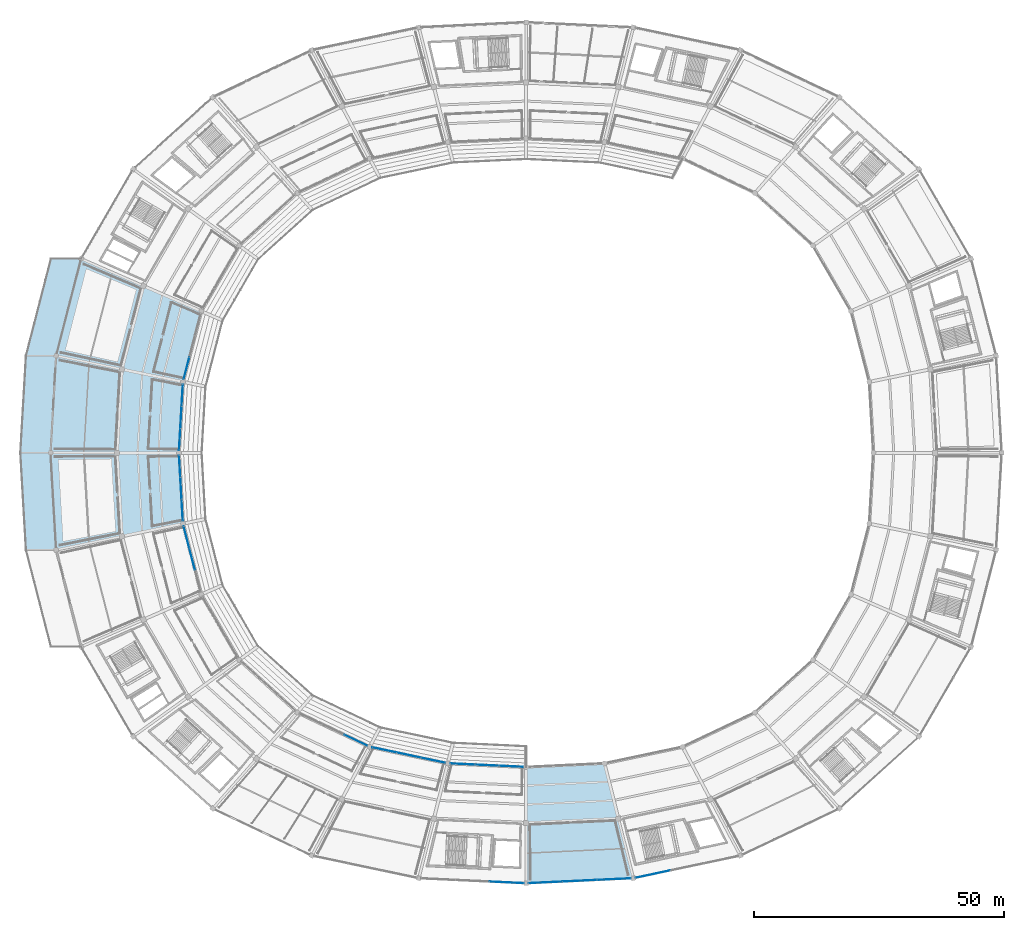
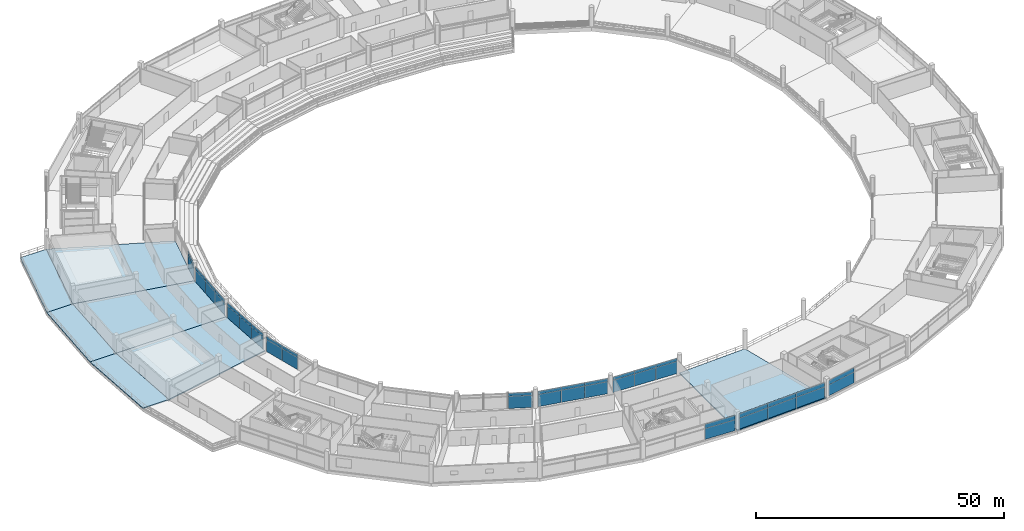
# One storey, part 123 of 171: 42 plates, 7 slabs, 10 elements without a shape of their own.
"""IFC4 building model written with IfcOpenShell, lengths in metres."""

from ifc_helpers import new_model, si_unit, direction, frame, origin, origin_2d, place, context, subcontext, project, spatial, polyline, rectangle, outline, extrude, material, layer, layer_set, type_object, element, aggregate, save


model = new_model("IFC4")

# Units and contexts
model_context = context("Model", 3, precision=1e-05, world=origin(), true_north=direction((0.0, 1.0)))
body_context = subcontext(model_context, "Body", "Model", "MODEL_VIEW")
ifc_project = project(units=[si_unit("LENGTHUNIT", "METRE"), si_unit("AREAUNIT", "SQUARE_METRE"), si_unit("VOLUMEUNIT", "CUBIC_METRE"), si_unit("PLANEANGLEUNIT", "RADIAN"), si_unit("MASSUNIT", "GRAM", prefix="KILO")], contexts=[model_context])

# Site, building, storey
site_placement = place(None, origin())
site = spatial("IfcSite", under=ifc_project, at=site_placement, CompositionType="ELEMENT")
building_placement = place(site_placement, origin())
building = spatial("IfcBuilding", under=site, at=building_placement, Name="Kazemori Nagisa Stadium", CompositionType="ELEMENT")
storey_placement = place(building_placement, frame((0.0, 0.0, 15.639892578125)))
storey = spatial("IfcBuildingStorey", under=building, at=storey_placement, Name="L03", CompositionType="ELEMENT", Elevation=15.639892578125)

# Curtain wall, plates
ifc_material_1 = material(Name="Anodised aluminium 6063-T5", Category="aluminium")
ifc_layer_1 = layer(ifc_material_1, 0.2099609375, Name="Anodised aluminium 6063-T5", Category="aluminium")
ifc_layer_set_1 = layer_set([ifc_layer_1], Name="Anodised aluminium 6063-T5")
curtain_wall_type_1 = type_object("IfcCurtainWallType", Name="CW_L03B_66", PredefinedType="USERDEFINED", material=ifc_layer_set_1)
curtain_wall_1_placement = place(storey_placement, origin())
curtain_wall_1 = element("IfcCurtainWall", 1, at=curtain_wall_1_placement, inside=storey, type_object=curtain_wall_type_1, Name="Unitised curtain wall CW-L03B-66 L03", ObjectType="UNITISED CURTAIN WALL", PredefinedType="USERDEFINED")
ifc_material_2 = material(Name="Anodised aluminium spandrel sheet", Category="aluminium")
ifc_layer_2 = layer(ifc_material_2, 0.047119140625, Name="Anodised aluminium spandrel sheet", Category="aluminium")
ifc_layer_set_2 = layer_set([ifc_layer_2], Name="Anodised aluminium spandrel sheet")
plate_type_1 = type_object("IfcPlateType", Name="CWPanel_SPN_L03B_66", PredefinedType="CURTAIN_PANEL", material=ifc_layer_set_2)
plate_1_placement = place(storey_placement, frame((54.310302734375, 113.444091796875, 3.01025390625), z_axis=(0.0, 0.0, 1.0), x_axis=(-0.057601670941, -0.998339645364, 0.0)))
plate_1 = element("IfcPlate", 2, at=plate_1_placement, type_object=plate_type_1, Name="Curtain wall spandrel panel CW-L03B-66-S1", PredefinedType="CURTAIN_PANEL", context=body_context, shape_type="SweptSolid", body=[
    extrude(rectangle(XDim=4.347412109375, YDim=0.047119140625, at=origin_2d()), origin(), (0.0, 0.0, 1.0), 0.800048828125),
])
plate_2_placement = place(storey_placement, frame((54.05859375, 109.080078125, 3.01025390625), z_axis=(0.0, 0.0, 1.0), x_axis=(-0.057601670941, -0.998339645364, 0.0)))
plate_2 = element("IfcPlate", 3, at=plate_2_placement, type_object=plate_type_1, Name="Curtain wall spandrel panel CW-L03B-66-S2", PredefinedType="CURTAIN_PANEL", context=body_context, shape_type="SweptSolid", body=[
    extrude(rectangle(XDim=4.347412109375, YDim=0.047119140625, at=origin_2d()), origin(), (0.0, 0.0, 1.0), 0.800048828125),
])
plate_3_placement = place(storey_placement, frame((53.806640625, 104.716064453125, 3.01025390625), z_axis=(0.0, 0.0, 1.0), x_axis=(-0.057601670941, -0.998339645364, 0.0)))
plate_3 = element("IfcPlate", 4, at=plate_3_placement, type_object=plate_type_1, Name="Curtain wall spandrel panel CW-L03B-66-S3", PredefinedType="CURTAIN_PANEL", context=body_context, shape_type="SweptSolid", body=[
    extrude(rectangle(XDim=4.347412109375, YDim=0.047119140625, at=origin_2d()), origin(), (0.0, 0.0, 1.0), 0.800048828125),
])

curtain_wall_2_placement = place(storey_placement, origin())
curtain_wall_2 = element("IfcCurtainWall", 5, at=curtain_wall_2_placement, inside=storey, type_object=curtain_wall_type_1, Name="Unitised curtain wall CW-L03B-66 L03", ObjectType="UNITISED CURTAIN WALL", PredefinedType="USERDEFINED")
plate_4_placement = place(storey_placement, frame((53.806640625, 99.283935546875, 3.01025390625), z_axis=(0.0, 0.0, 1.0), x_axis=(0.057601670941, -0.998339645364, 0.0)))
plate_4 = element("IfcPlate", 6, at=plate_4_placement, type_object=plate_type_1, Name="Curtain wall spandrel panel CW-L03B-66-S1", PredefinedType="CURTAIN_PANEL", context=body_context, shape_type="SweptSolid", body=[
    extrude(rectangle(XDim=4.347412109375, YDim=0.047119140625, at=origin_2d()), origin(), (0.0, 0.0, 1.0), 0.800048828125),
])
plate_5_placement = place(storey_placement, frame((54.05859375, 94.919921875, 3.01025390625), z_axis=(0.0, 0.0, 1.0), x_axis=(0.057601670941, -0.998339645364, 0.0)))
plate_5 = element("IfcPlate", 7, at=plate_5_placement, type_object=plate_type_1, Name="Curtain wall spandrel panel CW-L03B-66-S2", PredefinedType="CURTAIN_PANEL", context=body_context, shape_type="SweptSolid", body=[
    extrude(rectangle(XDim=4.347412109375, YDim=0.047119140625, at=origin_2d()), origin(), (0.0, 0.0, 1.0), 0.800048828125),
])
plate_6_placement = place(storey_placement, frame((54.310302734375, 90.555908203125, 3.01025390625), z_axis=(0.0, 0.0, 1.0), x_axis=(0.057601670941, -0.998339645364, 0.0)))
plate_6 = element("IfcPlate", 8, at=plate_6_placement, type_object=plate_type_1, Name="Curtain wall spandrel panel CW-L03B-66-S3", PredefinedType="CURTAIN_PANEL", context=body_context, shape_type="SweptSolid", body=[
    extrude(rectangle(XDim=4.347412109375, YDim=0.047119140625, at=origin_2d()), origin(), (0.0, 0.0, 1.0), 0.800048828125),
])

# Curtain wall, plate
ifc_layer_3 = layer(ifc_material_1, 0.2099609375, Name="Anodised aluminium 6063-T5", Category="aluminium")
ifc_layer_set_3 = layer_set([ifc_layer_3], Name="Anodised aluminium 6063-T5")
curtain_wall_type_2 = type_object("IfcCurtainWallType", Name="CW_L03B_68", PredefinedType="USERDEFINED", material=ifc_layer_set_3)
curtain_wall_3_placement = place(storey_placement, origin())
curtain_wall_3 = element("IfcCurtainWall", 9, at=curtain_wall_3_placement, inside=storey, type_object=curtain_wall_type_2, Name="Unitised curtain wall CW-L03B-68 L03", ObjectType="UNITISED CURTAIN WALL", PredefinedType="USERDEFINED")
ifc_layer_4 = layer(ifc_material_2, 0.047119140625, Name="Anodised aluminium spandrel sheet", Category="aluminium")
ifc_layer_set_4 = layer_set([ifc_layer_4], Name="Anodised aluminium spandrel sheet")
plate_type_2 = type_object("IfcPlateType", Name="CWPanel_SPN_L03B_68", PredefinedType="CURTAIN_PANEL", material=ifc_layer_set_4)
plate_7_placement = place(storey_placement, frame((55.1640625, 118.860107421875, 3.01025390625), z_axis=(0.0, 0.0, 1.0), x_axis=(-0.249964642418, -0.968254965152, 0.0)))
plate_7 = element("IfcPlate", 10, at=plate_7_placement, type_object=plate_type_2, Name="Curtain wall spandrel panel CW-L03B-68-S3", PredefinedType="CURTAIN_PANEL", context=body_context, shape_type="SweptSolid", body=[
    extrude(rectangle(XDim=4.482666015625, YDim=0.047119140625, at=origin_2d()), origin(), (0.0, 0.0, 1.0), 0.800048828125),
])

# Curtain wall, plates
curtain_wall_4_placement = place(storey_placement, origin())
curtain_wall_4 = element("IfcCurtainWall", 11, at=curtain_wall_4_placement, inside=storey, type_object=curtain_wall_type_2, Name="Unitised curtain wall CW-L03B-68 L03", ObjectType="UNITISED CURTAIN WALL", PredefinedType="USERDEFINED")
plate_8_placement = place(storey_placement, frame((55.1640625, 85.139892578125, 3.01025390625), z_axis=(0.0, 0.0, 1.0), x_axis=(0.249964642418, -0.968254965152, 0.0)))
plate_8 = element("IfcPlate", 12, at=plate_8_placement, type_object=plate_type_2, Name="Curtain wall spandrel panel CW-L03B-68-S1", PredefinedType="CURTAIN_PANEL", context=body_context, shape_type="SweptSolid", body=[
    extrude(rectangle(XDim=4.482666015625, YDim=0.047119140625, at=origin_2d()), origin(), (0.0, 0.0, 1.0), 0.800048828125),
])
plate_9_placement = place(storey_placement, frame((56.29052734375, 80.7763671875, 3.01025390625), z_axis=(0.0, 0.0, 1.0), x_axis=(0.249964642418, -0.968254965152, 0.0)))
plate_9 = element("IfcPlate", 13, at=plate_9_placement, type_object=plate_type_2, Name="Curtain wall spandrel panel CW-L03B-68-S2", PredefinedType="CURTAIN_PANEL", context=body_context, shape_type="SweptSolid", body=[
    extrude(rectangle(XDim=4.482666015625, YDim=0.047119140625, at=origin_2d()), origin(), (0.0, 0.0, 1.0), 0.800048828125),
])

ifc_layer_5 = layer(ifc_material_1, 0.2099609375, Name="Anodised aluminium 6063-T5", Category="aluminium")
ifc_layer_set_5 = layer_set([ifc_layer_5], Name="Anodised aluminium 6063-T5")
curtain_wall_type_3 = type_object("IfcCurtainWallType", Name="CW_L03B_73", PredefinedType="USERDEFINED", material=ifc_layer_set_5)
curtain_wall_5_placement = place(storey_placement, origin())
curtain_wall_5 = element("IfcCurtainWall", 14, at=curtain_wall_5_placement, inside=storey, type_object=curtain_wall_type_3, Name="Unitised curtain wall CW-L03B-73 L03", ObjectType="UNITISED CURTAIN WALL", PredefinedType="USERDEFINED")
ifc_layer_6 = layer(ifc_material_2, 0.047119140625, Name="Anodised aluminium spandrel sheet", Category="aluminium")
ifc_layer_set_6 = layer_set([ifc_layer_6], Name="Anodised aluminium spandrel sheet")
plate_type_3 = type_object("IfcPlateType", Name="CWPanel_SPN_L03B_73", PredefinedType="CURTAIN_PANEL", material=ifc_layer_set_6)
plate_10_placement = place(storey_placement, frame((110.321044921875, 39.819580078125, 3.01025390625), z_axis=(0.0, 0.0, 1.0), x_axis=(0.998884022476, -0.047230388971, 0.0)))
plate_10 = element("IfcPlate", 15, at=plate_10_placement, type_object=plate_type_3, Name="Curtain wall spandrel panel CW-L03B-73-S1", PredefinedType="CURTAIN_PANEL", context=body_context, shape_type="SweptSolid", body=[
    extrude(rectangle(XDim=4.83935546875, YDim=0.047119140625, at=origin_2d()), origin(), (0.0, 0.0, 1.0), 0.800048828125),
])
plate_11_placement = place(storey_placement, frame((115.178955078125, 39.58984375, 3.01025390625), z_axis=(0.0, 0.0, 1.0), x_axis=(0.998884022476, -0.047230388971, 0.0)))
plate_11 = element("IfcPlate", 16, at=plate_11_placement, type_object=plate_type_3, Name="Curtain wall spandrel panel CW-L03B-73-S2", PredefinedType="CURTAIN_PANEL", context=body_context, shape_type="SweptSolid", body=[
    extrude(rectangle(XDim=4.83935546875, YDim=0.047119140625, at=origin_2d()), origin(), (0.0, 0.0, 1.0), 0.800048828125),
])
plate_12_placement = place(storey_placement, frame((120.03662109375, 39.360107421875, 3.01025390625), z_axis=(0.0, 0.0, 1.0), x_axis=(0.998884022476, -0.047230388971, 0.0)))
plate_12 = element("IfcPlate", 17, at=plate_12_placement, type_object=plate_type_3, Name="Curtain wall spandrel panel CW-L03B-73-S3", PredefinedType="CURTAIN_PANEL", context=body_context, shape_type="SweptSolid", body=[
    extrude(rectangle(XDim=4.83935546875, YDim=0.047119140625, at=origin_2d()), origin(), (0.0, 0.0, 1.0), 0.800048828125),
])

# Curtain wall, plate
ifc_layer_7 = layer(ifc_material_1, 0.2099609375, Name="Anodised aluminium 6063-T5", Category="aluminium")
ifc_layer_set_7 = layer_set([ifc_layer_7], Name="Anodised aluminium 6063-T5")
curtain_wall_type_4 = type_object("IfcCurtainWallType", Name="CW_L03B_75", PredefinedType="USERDEFINED", material=ifc_layer_set_7)
curtain_wall_6_placement = place(storey_placement, origin())
curtain_wall_6 = element("IfcCurtainWall", 18, at=curtain_wall_6_placement, inside=storey, type_object=curtain_wall_type_4, Name="Unitised curtain wall CW-L03B-75 L03", ObjectType="UNITISED CURTAIN WALL", PredefinedType="USERDEFINED")
ifc_layer_8 = layer(ifc_material_2, 0.047119140625, Name="Anodised aluminium spandrel sheet", Category="aluminium")
ifc_layer_set_8 = layer_set([ifc_layer_8], Name="Anodised aluminium spandrel sheet")
plate_type_4 = type_object("IfcPlateType", Name="CWPanel_SPN_L03B_75", PredefinedType="CURTAIN_PANEL", material=ifc_layer_set_8)
plate_13_placement = place(storey_placement, frame((89.022216796875, 44.55859375, 3.01025390625), z_axis=(0.0, 0.0, 1.0), x_axis=(0.903215892654, -0.429186499388, 0.0)))
plate_13 = element("IfcPlate", 19, at=plate_13_placement, type_object=plate_type_4, Name="Curtain wall spandrel panel CW-L03B-75-S3", PredefinedType="CURTAIN_PANEL", context=body_context, shape_type="SweptSolid", body=[
    extrude(rectangle(XDim=4.95166015625, YDim=0.047119140625, at=origin_2d()), origin(), (0.0, 0.0, 1.0), 0.800048828125),
])

# Curtain wall, plates
curtain_wall_7_placement = place(storey_placement, origin())
curtain_wall_7 = element("IfcCurtainWall", 20, at=curtain_wall_7_placement, inside=storey, type_object=curtain_wall_type_4, Name="Unitised curtain wall CW-L03B-75 L03", ObjectType="UNITISED CURTAIN WALL", PredefinedType="USERDEFINED")
plate_14_placement = place(storey_placement, frame((94.702392578125, 42.636962890625, 3.01025390625), z_axis=(0.0, 0.0, 1.0), x_axis=(0.978344955407, -0.206981033502, 0.0)))
plate_14 = element("IfcPlate", 21, at=plate_14_placement, type_object=plate_type_4, Name="Curtain wall spandrel panel CW-L03B-75-S1", PredefinedType="CURTAIN_PANEL", context=body_context, shape_type="SweptSolid", body=[
    extrude(rectangle(XDim=4.936279296875, YDim=0.047119140625, at=origin_2d()), origin(), (0.0, 0.0, 1.0), 0.800048828125),
])
plate_15_placement = place(storey_placement, frame((99.55517578125, 41.6103515625, 3.01025390625), z_axis=(0.0, 0.0, 1.0), x_axis=(0.978344955407, -0.206981033502, 0.0)))
plate_15 = element("IfcPlate", 22, at=plate_15_placement, type_object=plate_type_4, Name="Curtain wall spandrel panel CW-L03B-75-S2", PredefinedType="CURTAIN_PANEL", context=body_context, shape_type="SweptSolid", body=[
    extrude(rectangle(XDim=4.936279296875, YDim=0.047119140625, at=origin_2d()), origin(), (0.0, 0.0, 1.0), 0.800048828125),
])
plate_16_placement = place(storey_placement, frame((104.407958984375, 40.583740234375, 3.01025390625), z_axis=(0.0, 0.0, 1.0), x_axis=(0.978344955407, -0.206981033502, 0.0)))
plate_16 = element("IfcPlate", 23, at=plate_16_placement, type_object=plate_type_4, Name="Curtain wall spandrel panel CW-L03B-75-S3", PredefinedType="CURTAIN_PANEL", context=body_context, shape_type="SweptSolid", body=[
    extrude(rectangle(XDim=4.936279296875, YDim=0.047119140625, at=origin_2d()), origin(), (0.0, 0.0, 1.0), 0.800048828125),
])

# Curtain wall, plate
ifc_layer_9 = layer(ifc_material_1, 0.2099609375, Name="Anodised aluminium 6063-T5", Category="aluminium")
ifc_layer_set_9 = layer_set([ifc_layer_9], Name="Anodised aluminium 6063-T5")
curtain_wall_type_5 = type_object("IfcCurtainWallType", Name="CW_L03R3_103", PredefinedType="USERDEFINED", material=ifc_layer_set_9)
curtain_wall_8_placement = place(storey_placement, origin())
curtain_wall_8 = element("IfcCurtainWall", 24, at=curtain_wall_8_placement, inside=storey, type_object=curtain_wall_type_5, Name="Unitised curtain wall CW-L03R3-103 L03", ObjectType="UNITISED CURTAIN WALL", PredefinedType="USERDEFINED")
ifc_layer_10 = layer(ifc_material_2, 0.050048828125, Name="Anodised aluminium spandrel sheet", Category="aluminium")
ifc_layer_set_10 = layer_set([ifc_layer_10], Name="Anodised aluminium spandrel sheet")
plate_type_5 = type_object("IfcPlateType", Name="CWPanel_SPN_L03R3_103", PredefinedType="CURTAIN_PANEL", material=ifc_layer_set_10)
plate_17_placement = place(storey_placement, frame((119.1123046875, 16.183837890625, 2.705078125), z_axis=(0.0, 0.0, 1.0), x_axis=(0.998884022476, -0.047230388971, 0.0)))
plate_17 = element("IfcPlate", 25, at=plate_17_placement, type_object=plate_type_5, Name="Curtain wall spandrel panel CW-L03R3-103-S3", PredefinedType="CURTAIN_PANEL", context=body_context, shape_type="SweptSolid", body=[
    extrude(rectangle(XDim=6.81005859375, YDim=0.050048828125, at=origin_2d()), origin(), (0.0, 0.0, 1.0), 1.10498046875),
])

# Curtain wall, plates
curtain_wall_9_placement = place(storey_placement, origin())
curtain_wall_9 = element("IfcCurtainWall", 26, at=curtain_wall_9_placement, inside=storey, type_object=curtain_wall_type_5, Name="Unitised curtain wall CW-L03R3-103 L03", ObjectType="UNITISED CURTAIN WALL", PredefinedType="USERDEFINED")
plate_18_placement = place(storey_placement, frame((126.8876953125, 16.183837890625, 2.705078125), z_axis=(0.0, 0.0, 1.0), x_axis=(0.998884022476, 0.047230388971, 0.0)))
plate_18 = element("IfcPlate", 27, at=plate_18_placement, type_object=plate_type_5, Name="Curtain wall spandrel panel CW-L03R3-103-S1", PredefinedType="CURTAIN_PANEL", context=body_context, shape_type="SweptSolid", body=[
    extrude(rectangle(XDim=6.81005859375, YDim=0.050048828125, at=origin_2d()), origin(), (0.0, 0.0, 1.0), 1.10498046875),
])
plate_19_placement = place(storey_placement, frame((133.7138671875, 16.506591796875, 2.705078125), z_axis=(0.0, 0.0, 1.0), x_axis=(0.998884022476, 0.047230388971, 0.0)))
plate_19 = element("IfcPlate", 28, at=plate_19_placement, type_object=plate_type_5, Name="Curtain wall spandrel panel CW-L03R3-103-S2", PredefinedType="CURTAIN_PANEL", context=body_context, shape_type="SweptSolid", body=[
    extrude(rectangle(XDim=6.81005859375, YDim=0.050048828125, at=origin_2d()), origin(), (0.0, 0.0, 1.0), 1.10498046875),
])
plate_20_placement = place(storey_placement, frame((140.5400390625, 16.829345703125, 2.705078125), z_axis=(0.0, 0.0, 1.0), x_axis=(0.998884022476, 0.047230388971, 0.0)))
plate_20 = element("IfcPlate", 29, at=plate_20_placement, type_object=plate_type_5, Name="Curtain wall spandrel panel CW-L03R3-103-S3", PredefinedType="CURTAIN_PANEL", context=body_context, shape_type="SweptSolid", body=[
    extrude(rectangle(XDim=6.81005859375, YDim=0.050048828125, at=origin_2d()), origin(), (0.0, 0.0, 1.0), 1.10498046875),
])

# Curtain wall, plate
ifc_layer_11 = layer(ifc_material_1, 0.2099609375, Name="Anodised aluminium 6063-T5", Category="aluminium")
ifc_layer_set_11 = layer_set([ifc_layer_11], Name="Anodised aluminium 6063-T5")
curtain_wall_type_6 = type_object("IfcCurtainWallType", Name="CW_L03R3_105", PredefinedType="USERDEFINED", material=ifc_layer_set_11)
curtain_wall_10_placement = place(storey_placement, origin())
curtain_wall_10 = element("IfcCurtainWall", 30, at=curtain_wall_10_placement, inside=storey, type_object=curtain_wall_type_6, Name="Unitised curtain wall CW-L03R3-105 L03", ObjectType="UNITISED CURTAIN WALL", PredefinedType="USERDEFINED")
ifc_layer_12 = layer(ifc_material_2, 0.050048828125, Name="Anodised aluminium spandrel sheet", Category="aluminium")
ifc_layer_set_12 = layer_set([ifc_layer_12], Name="Anodised aluminium spandrel sheet")
plate_type_6 = type_object("IfcPlateType", Name="CWPanel_SPN_L03R3_105", PredefinedType="CURTAIN_PANEL", material=ifc_layer_set_12)
plate_21_placement = place(storey_placement, frame((148.30029296875, 17.83251953125, 2.705078125), z_axis=(0.0, 0.0, 1.0), x_axis=(0.978344955407, 0.206981033502, 0.0)))
plate_21 = element("IfcPlate", 31, at=plate_21_placement, type_object=plate_type_6, Name="Curtain wall spandrel panel CW-L03R3-105-S1", PredefinedType="CURTAIN_PANEL", context=body_context, shape_type="SweptSolid", body=[
    extrude(rectangle(XDim=6.942626953125, YDim=0.050048828125, at=origin_2d()), origin(), (0.0, 0.0, 1.0), 1.10498046875),
])

# Plate
ifc_material_3 = material(Name="Low-e laminated double glazing", Category="glass")
ifc_layer_13 = layer(ifc_material_3, 0.033935546875, Name="Low-e laminated double glazing", Category="glass")
ifc_layer_set_13 = layer_set([ifc_layer_13], Name="Low-e laminated double glazing")
plate_type_7 = type_object("IfcPlateType", Name="CWPanel_VIS_L03B_66", PredefinedType="CURTAIN_PANEL", material=ifc_layer_set_13)
plate_22_placement = place(storey_placement, frame((54.310302734375, 113.444091796875, 0.0), z_axis=(0.0, 0.0, 1.0), x_axis=(-0.057601670941, -0.998339645364, 0.0)))
plate_22 = element("IfcPlate", 32, at=plate_22_placement, type_object=plate_type_7, Name="Curtain wall vision panel CW-L03B-66-V1", PredefinedType="CURTAIN_PANEL", context=body_context, shape_type="SweptSolid", body=[
    extrude(rectangle(XDim=4.347412109375, YDim=0.033935546875, at=origin_2d()), origin(), (0.0, 0.0, 1.0), 3.010009765625),
])

plate_23_placement = place(storey_placement, frame((54.05859375, 109.080078125, 0.0), z_axis=(0.0, 0.0, 1.0), x_axis=(-0.057601670941, -0.998339645364, 0.0)))
plate_23 = element("IfcPlate", 33, at=plate_23_placement, type_object=plate_type_7, Name="Curtain wall vision panel CW-L03B-66-V2", PredefinedType="CURTAIN_PANEL", context=body_context, shape_type="SweptSolid", body=[
    extrude(rectangle(XDim=4.347412109375, YDim=0.033935546875, at=origin_2d()), origin(), (0.0, 0.0, 1.0), 3.010009765625),
])

plate_24_placement = place(storey_placement, frame((53.806640625, 104.716064453125, 0.0), z_axis=(0.0, 0.0, 1.0), x_axis=(-0.057601670941, -0.998339645364, 0.0)))
plate_24 = element("IfcPlate", 34, at=plate_24_placement, type_object=plate_type_7, Name="Curtain wall vision panel CW-L03B-66-V3", PredefinedType="CURTAIN_PANEL", context=body_context, shape_type="SweptSolid", body=[
    extrude(rectangle(XDim=4.347412109375, YDim=0.033935546875, at=origin_2d()), origin(), (0.0, 0.0, 1.0), 3.010009765625),
])

aggregate(curtain_wall_1, [plate_22, plate_1, plate_23, plate_2, plate_24, plate_3])

plate_25_placement = place(storey_placement, frame((53.806640625, 99.283935546875, 0.0), z_axis=(0.0, 0.0, 1.0), x_axis=(0.057601670941, -0.998339645364, 0.0)))
plate_25 = element("IfcPlate", 35, at=plate_25_placement, type_object=plate_type_7, Name="Curtain wall vision panel CW-L03B-66-V1", PredefinedType="CURTAIN_PANEL", context=body_context, shape_type="SweptSolid", body=[
    extrude(rectangle(XDim=4.347412109375, YDim=0.033935546875, at=origin_2d()), origin(), (0.0, 0.0, 1.0), 3.010009765625),
])

plate_26_placement = place(storey_placement, frame((54.05859375, 94.919921875, 0.0), z_axis=(0.0, 0.0, 1.0), x_axis=(0.057601670941, -0.998339645364, 0.0)))
plate_26 = element("IfcPlate", 36, at=plate_26_placement, type_object=plate_type_7, Name="Curtain wall vision panel CW-L03B-66-V2", PredefinedType="CURTAIN_PANEL", context=body_context, shape_type="SweptSolid", body=[
    extrude(rectangle(XDim=4.347412109375, YDim=0.033935546875, at=origin_2d()), origin(), (0.0, 0.0, 1.0), 3.010009765625),
])

plate_27_placement = place(storey_placement, frame((54.310302734375, 90.555908203125, 0.0), z_axis=(0.0, 0.0, 1.0), x_axis=(0.057601670941, -0.998339645364, 0.0)))
plate_27 = element("IfcPlate", 37, at=plate_27_placement, type_object=plate_type_7, Name="Curtain wall vision panel CW-L03B-66-V3", PredefinedType="CURTAIN_PANEL", context=body_context, shape_type="SweptSolid", body=[
    extrude(rectangle(XDim=4.347412109375, YDim=0.033935546875, at=origin_2d()), origin(), (0.0, 0.0, 1.0), 3.010009765625),
])

aggregate(curtain_wall_2, [plate_25, plate_4, plate_26, plate_5, plate_27, plate_6])

ifc_layer_14 = layer(ifc_material_3, 0.033935546875, Name="Low-e laminated double glazing", Category="glass")
ifc_layer_set_14 = layer_set([ifc_layer_14], Name="Low-e laminated double glazing")
plate_type_8 = type_object("IfcPlateType", Name="CWPanel_VIS_L03B_68", PredefinedType="CURTAIN_PANEL", material=ifc_layer_set_14)
plate_28_placement = place(storey_placement, frame((55.1640625, 118.860107421875, 0.0), z_axis=(0.0, 0.0, 1.0), x_axis=(-0.249964642418, -0.968254965152, 0.0)))
plate_28 = element("IfcPlate", 38, at=plate_28_placement, type_object=plate_type_8, Name="Curtain wall vision panel CW-L03B-68-V3", PredefinedType="CURTAIN_PANEL", context=body_context, shape_type="SweptSolid", body=[
    extrude(rectangle(XDim=4.482666015625, YDim=0.033935546875, at=origin_2d()), origin(), (0.0, 0.0, 1.0), 3.010009765625),
])

aggregate(curtain_wall_3, [plate_28, plate_7])

plate_29_placement = place(storey_placement, frame((55.1640625, 85.139892578125, 0.0), z_axis=(0.0, 0.0, 1.0), x_axis=(0.249964642418, -0.968254965152, 0.0)))
plate_29 = element("IfcPlate", 39, at=plate_29_placement, type_object=plate_type_8, Name="Curtain wall vision panel CW-L03B-68-V1", PredefinedType="CURTAIN_PANEL", context=body_context, shape_type="SweptSolid", body=[
    extrude(rectangle(XDim=4.482666015625, YDim=0.033935546875, at=origin_2d()), origin(), (0.0, 0.0, 1.0), 3.010009765625),
])

plate_30_placement = place(storey_placement, frame((56.29052734375, 80.7763671875, 0.0), z_axis=(0.0, 0.0, 1.0), x_axis=(0.249964642418, -0.968254965152, 0.0)))
plate_30 = element("IfcPlate", 40, at=plate_30_placement, type_object=plate_type_8, Name="Curtain wall vision panel CW-L03B-68-V2", PredefinedType="CURTAIN_PANEL", context=body_context, shape_type="SweptSolid", body=[
    extrude(rectangle(XDim=4.482666015625, YDim=0.033935546875, at=origin_2d()), origin(), (0.0, 0.0, 1.0), 3.010009765625),
])

aggregate(curtain_wall_4, [plate_29, plate_8, plate_30, plate_9])

ifc_layer_15 = layer(ifc_material_3, 0.033935546875, Name="Low-e laminated double glazing", Category="glass")
ifc_layer_set_15 = layer_set([ifc_layer_15], Name="Low-e laminated double glazing")
plate_type_9 = type_object("IfcPlateType", Name="CWPanel_VIS_L03B_73", PredefinedType="CURTAIN_PANEL", material=ifc_layer_set_15)
plate_31_placement = place(storey_placement, frame((110.321044921875, 39.819580078125, 0.0), z_axis=(0.0, 0.0, 1.0), x_axis=(0.998884022476, -0.047230388971, 0.0)))
plate_31 = element("IfcPlate", 41, at=plate_31_placement, type_object=plate_type_9, Name="Curtain wall vision panel CW-L03B-73-V1", PredefinedType="CURTAIN_PANEL", context=body_context, shape_type="SweptSolid", body=[
    extrude(rectangle(XDim=4.83935546875, YDim=0.033935546875, at=origin_2d()), origin(), (0.0, 0.0, 1.0), 3.010009765625),
])

plate_32_placement = place(storey_placement, frame((115.178955078125, 39.58984375, 0.0), z_axis=(0.0, 0.0, 1.0), x_axis=(0.998884022476, -0.047230388971, 0.0)))
plate_32 = element("IfcPlate", 42, at=plate_32_placement, type_object=plate_type_9, Name="Curtain wall vision panel CW-L03B-73-V2", PredefinedType="CURTAIN_PANEL", context=body_context, shape_type="SweptSolid", body=[
    extrude(rectangle(XDim=4.83935546875, YDim=0.033935546875, at=origin_2d()), origin(), (0.0, 0.0, 1.0), 3.010009765625),
])

plate_33_placement = place(storey_placement, frame((120.03662109375, 39.360107421875, 0.0), z_axis=(0.0, 0.0, 1.0), x_axis=(0.998884022476, -0.047230388971, 0.0)))
plate_33 = element("IfcPlate", 43, at=plate_33_placement, type_object=plate_type_9, Name="Curtain wall vision panel CW-L03B-73-V3", PredefinedType="CURTAIN_PANEL", context=body_context, shape_type="SweptSolid", body=[
    extrude(rectangle(XDim=4.83935546875, YDim=0.033935546875, at=origin_2d()), origin(), (0.0, 0.0, 1.0), 3.010009765625),
])

aggregate(curtain_wall_5, [plate_31, plate_10, plate_32, plate_11, plate_33, plate_12])

ifc_layer_16 = layer(ifc_material_3, 0.033935546875, Name="Low-e laminated double glazing", Category="glass")
ifc_layer_set_16 = layer_set([ifc_layer_16], Name="Low-e laminated double glazing")
plate_type_10 = type_object("IfcPlateType", Name="CWPanel_VIS_L03B_75", PredefinedType="CURTAIN_PANEL", material=ifc_layer_set_16)
plate_34_placement = place(storey_placement, frame((89.022216796875, 44.55859375, 0.0), z_axis=(0.0, 0.0, 1.0), x_axis=(0.903215892654, -0.429186499388, 0.0)))
plate_34 = element("IfcPlate", 44, at=plate_34_placement, type_object=plate_type_10, Name="Curtain wall vision panel CW-L03B-75-V3", PredefinedType="CURTAIN_PANEL", context=body_context, shape_type="SweptSolid", body=[
    extrude(rectangle(XDim=4.95166015625, YDim=0.033935546875, at=origin_2d()), origin(), (0.0, 0.0, 1.0), 3.010009765625),
])

aggregate(curtain_wall_6, [plate_34, plate_13])

plate_35_placement = place(storey_placement, frame((94.702392578125, 42.636962890625, 0.0), z_axis=(0.0, 0.0, 1.0), x_axis=(0.978344955407, -0.206981033502, 0.0)))
plate_35 = element("IfcPlate", 45, at=plate_35_placement, type_object=plate_type_10, Name="Curtain wall vision panel CW-L03B-75-V1", PredefinedType="CURTAIN_PANEL", context=body_context, shape_type="SweptSolid", body=[
    extrude(rectangle(XDim=4.936279296875, YDim=0.033935546875, at=origin_2d()), origin(), (0.0, 0.0, 1.0), 3.010009765625),
])

plate_36_placement = place(storey_placement, frame((99.55517578125, 41.6103515625, 0.0), z_axis=(0.0, 0.0, 1.0), x_axis=(0.978344955407, -0.206981033502, 0.0)))
plate_36 = element("IfcPlate", 46, at=plate_36_placement, type_object=plate_type_10, Name="Curtain wall vision panel CW-L03B-75-V2", PredefinedType="CURTAIN_PANEL", context=body_context, shape_type="SweptSolid", body=[
    extrude(rectangle(XDim=4.936279296875, YDim=0.033935546875, at=origin_2d()), origin(), (0.0, 0.0, 1.0), 3.010009765625),
])

plate_37_placement = place(storey_placement, frame((104.407958984375, 40.583740234375, 0.0), z_axis=(0.0, 0.0, 1.0), x_axis=(0.978344955407, -0.206981033502, 0.0)))
plate_37 = element("IfcPlate", 47, at=plate_37_placement, type_object=plate_type_10, Name="Curtain wall vision panel CW-L03B-75-V3", PredefinedType="CURTAIN_PANEL", context=body_context, shape_type="SweptSolid", body=[
    extrude(rectangle(XDim=4.936279296875, YDim=0.033935546875, at=origin_2d()), origin(), (0.0, 0.0, 1.0), 3.010009765625),
])

aggregate(curtain_wall_7, [plate_35, plate_14, plate_36, plate_15, plate_37, plate_16])

ifc_layer_17 = layer(ifc_material_3, 0.031982421875, Name="Low-e laminated double glazing", Category="glass")
ifc_layer_set_17 = layer_set([ifc_layer_17], Name="Low-e laminated double glazing")
plate_type_11 = type_object("IfcPlateType", Name="CWPanel_VIS_L03R3_103", PredefinedType="CURTAIN_PANEL", material=ifc_layer_set_17)
plate_38_placement = place(storey_placement, frame((119.1123046875, 16.183837890625, 0.0), z_axis=(0.0, 0.0, 1.0), x_axis=(0.998884022476, -0.047230388971, 0.0)))
plate_38 = element("IfcPlate", 48, at=plate_38_placement, type_object=plate_type_11, Name="Curtain wall vision panel CW-L03R3-103-V3", PredefinedType="CURTAIN_PANEL", context=body_context, shape_type="SweptSolid", body=[
    extrude(rectangle(XDim=6.81005859375, YDim=0.031982421875, at=origin_2d()), origin(), (0.0, 0.0, 1.0), 2.705078125),
])

aggregate(curtain_wall_8, [plate_38, plate_17])

plate_39_placement = place(storey_placement, frame((126.8876953125, 16.183837890625, 0.0), z_axis=(0.0, 0.0, 1.0), x_axis=(0.998884022476, 0.047230388971, 0.0)))
plate_39 = element("IfcPlate", 49, at=plate_39_placement, type_object=plate_type_11, Name="Curtain wall vision panel CW-L03R3-103-V1", PredefinedType="CURTAIN_PANEL", context=body_context, shape_type="SweptSolid", body=[
    extrude(rectangle(XDim=6.81005859375, YDim=0.031982421875, at=origin_2d()), origin(), (0.0, 0.0, 1.0), 2.705078125),
])

plate_40_placement = place(storey_placement, frame((133.7138671875, 16.506591796875, 0.0), z_axis=(0.0, 0.0, 1.0), x_axis=(0.998884022476, 0.047230388971, 0.0)))
plate_40 = element("IfcPlate", 50, at=plate_40_placement, type_object=plate_type_11, Name="Curtain wall vision panel CW-L03R3-103-V2", PredefinedType="CURTAIN_PANEL", context=body_context, shape_type="SweptSolid", body=[
    extrude(rectangle(XDim=6.81005859375, YDim=0.031982421875, at=origin_2d()), origin(), (0.0, 0.0, 1.0), 2.705078125),
])

plate_41_placement = place(storey_placement, frame((140.5400390625, 16.829345703125, 0.0), z_axis=(0.0, 0.0, 1.0), x_axis=(0.998884022476, 0.047230388971, 0.0)))
plate_41 = element("IfcPlate", 51, at=plate_41_placement, type_object=plate_type_11, Name="Curtain wall vision panel CW-L03R3-103-V3", PredefinedType="CURTAIN_PANEL", context=body_context, shape_type="SweptSolid", body=[
    extrude(rectangle(XDim=6.81005859375, YDim=0.031982421875, at=origin_2d()), origin(), (0.0, 0.0, 1.0), 2.705078125),
])

aggregate(curtain_wall_9, [plate_39, plate_18, plate_40, plate_19, plate_41, plate_20])

ifc_layer_18 = layer(ifc_material_3, 0.031982421875, Name="Low-e laminated double glazing", Category="glass")
ifc_layer_set_18 = layer_set([ifc_layer_18], Name="Low-e laminated double glazing")
plate_type_12 = type_object("IfcPlateType", Name="CWPanel_VIS_L03R3_105", PredefinedType="CURTAIN_PANEL", material=ifc_layer_set_18)
plate_42_placement = place(storey_placement, frame((148.30029296875, 17.83251953125, 0.0), z_axis=(0.0, 0.0, 1.0), x_axis=(0.978344955407, 0.206981033502, 0.0)))
plate_42 = element("IfcPlate", 52, at=plate_42_placement, type_object=plate_type_12, Name="Curtain wall vision panel CW-L03R3-105-V1", PredefinedType="CURTAIN_PANEL", context=body_context, shape_type="SweptSolid", body=[
    extrude(rectangle(XDim=6.942626953125, YDim=0.031982421875, at=origin_2d()), origin(), (0.0, 0.0, 1.0), 2.705078125),
])

aggregate(curtain_wall_10, [plate_42, plate_21])

# Slabs
ifc_material_4 = material(Name="Concrete C36/45 (Fc36)", Category="concrete")
ifc_layer_19 = layer(ifc_material_4, 0.260009765625, Name="Concrete C36/45 (Fc36)", Category="concrete")
ifc_layer_set_19 = layer_set([ifc_layer_19], Name="Concrete C36/45 (Fc36)")
slab_type_1 = type_object("IfcSlabType", Name="Slab_SL-CLUB-260", PredefinedType="FLOOR", material=ifc_layer_set_19)
slab_1_placement = place(storey_placement, frame((0.0, 0.0, -0.260009765625)))
element("IfcSlab", 53, at=slab_1_placement, inside=storey, type_object=slab_type_1, Name="Concourse floor slab L03 bay 13", PredefinedType="FLOOR", context=body_context, shape_type="SweptSolid", body=[
    extrude(outline(polyline([(58.114013671875, 130.287109375), (54.467041015625, 116.160400390625), (29.119140625, 121.397705078125), (34.114990234375, 140.74951171875), (58.114013671875, 130.287109375)])), origin(), (0.0, 0.0, 1.0), 0.260009765625),
])
slab_2_placement = place(storey_placement, frame((0.0, 0.0, -0.260009765625)))
element("IfcSlab", 54, at=slab_2_placement, inside=storey, type_object=slab_type_1, Name="Concourse floor slab L03 bay 14", PredefinedType="FLOOR", context=body_context, shape_type="SweptSolid", body=[
    extrude(outline(polyline([(54.467041015625, 116.160400390625), (53.64990234375, 102.0), (28.0, 102.0), (29.119140625, 121.397705078125), (54.467041015625, 116.160400390625)])), origin(), (0.0, 0.0, 1.0), 0.260009765625),
])
slab_3_placement = place(storey_placement, frame((0.0, 0.0, -0.260009765625)))
element("IfcSlab", 55, at=slab_3_placement, inside=storey, type_object=slab_type_1, Name="Concourse floor slab L03 bay 15", PredefinedType="FLOOR", context=body_context, shape_type="SweptSolid", body=[
    extrude(outline(polyline([(53.64990234375, 102.0), (54.467041015625, 87.839599609375), (29.119140625, 82.602294921875), (28.0, 102.0), (53.64990234375, 102.0)])), origin(), (0.0, 0.0, 1.0), 0.260009765625),
])
slab_4_placement = place(storey_placement, frame((0.0, 0.0, -0.260009765625)))
element("IfcSlab", 56, at=slab_4_placement, inside=storey, type_object=slab_type_1, Name="Concourse floor slab L03 bay 22", PredefinedType="FLOOR", context=body_context, shape_type="SweptSolid", body=[
    extrude(outline(polyline([(123.0, 39.219970703125), (138.64208984375, 39.959716796875), (144.427734375, 17.01318359375), (123.0, 16.0), (123.0, 39.219970703125)])), origin(), (0.0, 0.0, 1.0), 0.260009765625),
])
ifc_layer_20 = layer(ifc_material_4, 0.239990234375, Name="Concrete C36/45 (Fc36)", Category="concrete")
ifc_layer_set_20 = layer_set([ifc_layer_20], Name="Concrete C36/45 (Fc36)")
slab_type_2 = type_object("IfcSlabType", Name="Slab_SL-TERR-240", PredefinedType="FLOOR", material=ifc_layer_set_20)
slab_5_placement = place(storey_placement, frame((0.0, 0.0, -0.239990234375)))
element("IfcSlab", 57, at=slab_5_placement, inside=storey, type_object=slab_type_2, Name="Boulevard club terrace slab L03 B13", PredefinedType="FLOOR", context=body_context, shape_type="SweptSolid", body=[
    extrude(outline(polyline([(34.114990234375, 140.74951171875), (29.119140625, 121.397705078125), (23.119140625, 121.397705078125), (28.114990234375, 140.74951171875), (34.114990234375, 140.74951171875)])), origin(), (0.0, 0.0, 1.0), 0.239990234375),
])
slab_6_placement = place(storey_placement, frame((0.0, 0.0, -0.239990234375)))
element("IfcSlab", 58, at=slab_6_placement, inside=storey, type_object=slab_type_2, Name="Boulevard club terrace slab L03 B14", PredefinedType="FLOOR", context=body_context, shape_type="SweptSolid", body=[
    extrude(outline(polyline([(29.119140625, 121.397705078125), (28.0, 102.0), (22.0, 102.0), (23.119140625, 121.397705078125), (29.119140625, 121.397705078125)])), origin(), (0.0, 0.0, 1.0), 0.239990234375),
])
slab_7_placement = place(storey_placement, frame((0.0, 0.0, -0.239990234375)))
element("IfcSlab", 59, at=slab_7_placement, inside=storey, type_object=slab_type_2, Name="Boulevard club terrace slab L03 B15", PredefinedType="FLOOR", context=body_context, shape_type="SweptSolid", body=[
    extrude(outline(polyline([(28.0, 102.0), (29.119140625, 82.602294921875), (23.119140625, 82.602294921875), (22.0, 102.0), (28.0, 102.0)])), origin(), (0.0, 0.0, 1.0), 0.239990234375),
])

save(model, "model.ifc")
